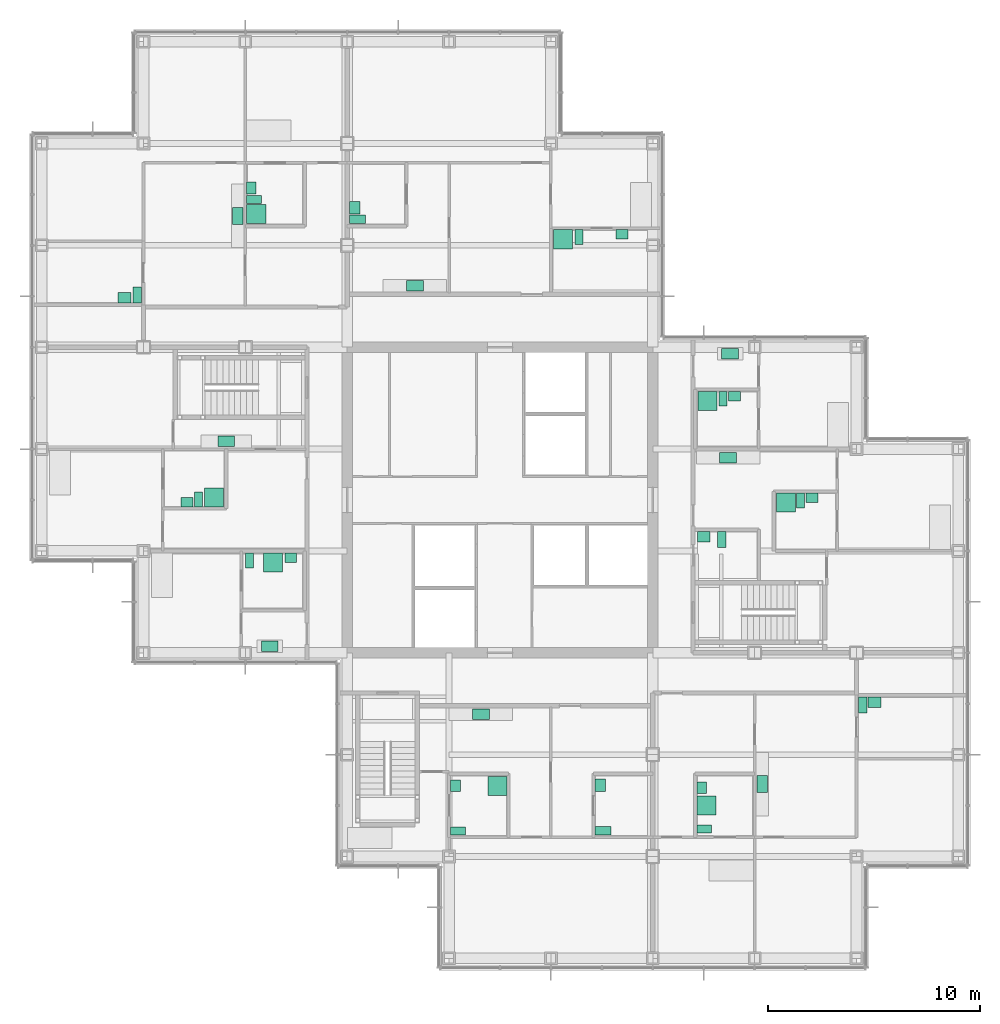
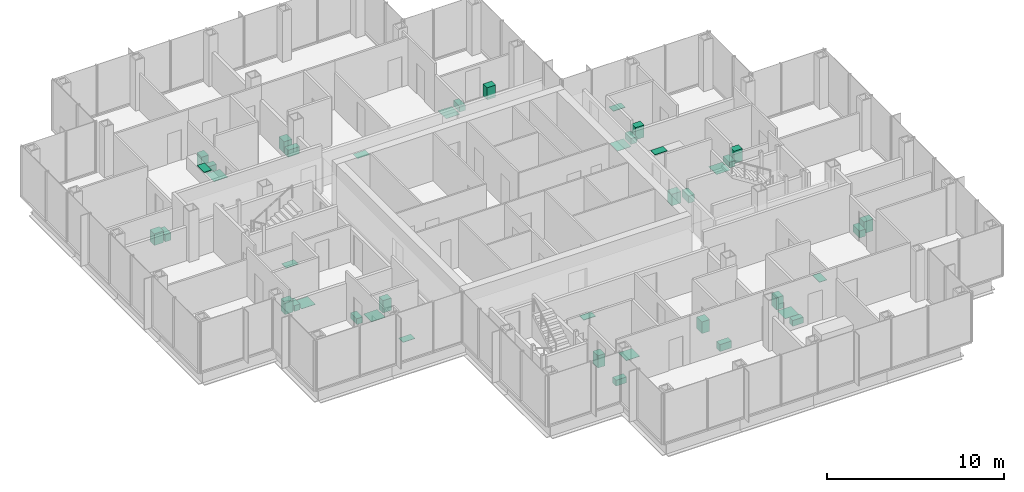
# One storey, part 18 of 19: 42 sanitary terminals.
"""IFC4 building model written with IfcOpenShell, lengths in metres."""

import ifcopenshell
import ifcopenshell.guid

model = None  # the IFC model being written
_history = None  # IfcOwnerHistory: only IFC2X3 demands one
_inside = {}  # id of a spatial element -> (the spatial element, [elements in it])
_under = {}  # id of a project, library or spatial element -> (it, [spatial elements below it])
_declared = {}  # id of a project -> (the project, [libraries it declares])
_typed = {}  # id of a type object -> (the type object, [elements of that type])
_made_of = {}  # id of a material, layer set ... -> (it, [elements and type objects made of it])


def new_model(schema):
    """Start an empty IFC model of exactly this schema.

    Asked for "IFC4X3", IfcOpenShell would pick the latest addendum, in which some entities
    have other attributes; the version numbers below select the first issue.
    IFC2X3 requires an IfcOwnerHistory on every rooted entity: one is made here for all.
    """
    global model, _history
    if schema == "IFC4X3":
        model = ifcopenshell.file(schema_version=(4, 3, 0, 0))
    else:
        model = ifcopenshell.file(schema=schema)
    _inside.clear()
    _under.clear()
    _declared.clear()
    _typed.clear()
    _made_of.clear()
    _history = None
    if model.schema == "IFC2X3":
        org = make("IfcOrganization", Name="unknown")
        user = make(
            "IfcPersonAndOrganization",
            ThePerson=make("IfcPerson", FamilyName="unknown"),
            TheOrganization=org,
        )
        app = make(
            "IfcApplication",
            ApplicationDeveloper=org,
            Version="unknown",
            ApplicationFullName="unknown",
            ApplicationIdentifier="unknown",
        )
        _history = make(
            "IfcOwnerHistory",
            OwningUser=user,
            OwningApplication=app,
            ChangeAction="ADDED",
            CreationDate=0,
        )
    return model


def make(cls, **values):
    """One entity of the class cls with the attributes given. An attribute that is None is left unset."""
    return model.create_entity(
        cls, **{name: value for name, value in values.items() if value is not None}
    )


def rooted(cls, **values):
    """An entity with a GlobalId (a new one), such as an element, a storey or a relation."""
    return make(cls, GlobalId=ifcopenshell.guid.new(), OwnerHistory=_history, **values)


def si_unit(unit_type, name, prefix=None):
    """IfcSIUnit, for example si_unit("LENGTHUNIT", "METRE", prefix="MILLI")."""
    return make("IfcSIUnit", UnitType=unit_type, Prefix=prefix, Name=name)


def assignment(units):
    """IfcUnitAssignment: the units of a project."""
    return None if units is None else make("IfcUnitAssignment", Units=units)


def point(xyz):
    """IfcCartesianPoint."""
    return None if xyz is None else make("IfcCartesianPoint", Coordinates=xyz)


def direction(xyz):
    """IfcDirection."""
    return None if xyz is None else make("IfcDirection", DirectionRatios=xyz)


def frame(location, z_axis=None, x_axis=None):
    """IfcAxis2Placement3D, a coordinate frame: its origin and axes. An axis left out is left unset."""
    return make(
        "IfcAxis2Placement3D",
        Location=point(location),
        Axis=direction(z_axis),
        RefDirection=direction(x_axis),
    )


def frame_2d(location, x_axis=None):
    """IfcAxis2Placement2D, a coordinate frame in the plane: its origin and x axis."""
    return make(
        "IfcAxis2Placement2D", Location=point(location), RefDirection=direction(x_axis)
    )


def origin():
    """The frame at (0, 0, 0) with its axes left unset."""
    return frame((0.0, 0.0, 0.0))


def origin_2d():
    """The frame at (0, 0) in the plane with its x axis left unset."""
    return frame_2d((0.0, 0.0))


def place(relative_to, where):
    """IfcLocalPlacement: puts the frame where relative to a parent placement (None: the world)."""
    return make(
        "IfcLocalPlacement", PlacementRelTo=relative_to, RelativePlacement=where
    )


def context(
    kind, dimensions, precision=None, world=None, true_north=None, identifier=None
):
    """IfcGeometricRepresentationContext, for example the 3D "Model" context."""
    return make(
        "IfcGeometricRepresentationContext",
        ContextIdentifier=identifier,
        ContextType=kind,
        CoordinateSpaceDimension=dimensions,
        Precision=precision,
        WorldCoordinateSystem=world,
        TrueNorth=true_north,
    )


def subcontext(parent, identifier, kind, view, scale=None):
    """IfcGeometricRepresentationSubContext, for example "Body" below "Model"."""
    return make(
        "IfcGeometricRepresentationSubContext",
        ContextIdentifier=identifier,
        ContextType=kind,
        ParentContext=parent,
        TargetScale=scale,
        TargetView=view,
    )


def project(units=None, contexts=None):
    """IfcProject with its units and contexts."""
    return rooted(
        "IfcProject",
        Name="project",
        RepresentationContexts=contexts,
        UnitsInContext=assignment(units),
    )


def spatial(cls, under=None, at=None, **own):
    """A site, building, storey or space (cls), placed at a placement, below another one or the project."""
    s = rooted(cls, ObjectPlacement=at, **own)
    if under is not None:
        _under.setdefault(under.id(), (under, []))[1].append(s)
    return s


def profile(cls, at=None, kind="AREA", **sizes):
    """A parametric profile (cls). Its sizes go by their IFC names, for example OverallWidth=200.0."""
    return make(cls, ProfileType=kind, Position=at, **sizes)


def rectangle(**sizes):
    """IfcRectangleProfileDef."""
    return profile("IfcRectangleProfileDef", **sizes)


def extrude(swept, where, along, depth):
    """IfcExtrudedAreaSolid: the profile swept, set in the frame where, extruded along a direction by depth."""
    return make(
        "IfcExtrudedAreaSolid",
        SweptArea=swept,
        Position=where,
        ExtrudedDirection=direction(along),
        Depth=depth,
    )


def shape(context_of_items, identifier, shape_type, items):
    """IfcShapeRepresentation: the items that make up one representation, for example the "Body"."""
    return make(
        "IfcShapeRepresentation",
        ContextOfItems=context_of_items,
        RepresentationIdentifier=identifier,
        RepresentationType=shape_type,
        Items=items,
    )


def material(Name=None, Category=None):
    """IfcMaterial."""
    return make("IfcMaterial", Name=Name, Category=Category)


def made_of(thing, what):
    """Note that an element or type object is made of a material, layer set ...; save() writes the relation."""
    if what is not None:
        _made_of.setdefault(what.id(), (what, []))[1].append(thing)
    return thing


def type_object(cls, material=None, **own):
    """A type object (cls), such as IfcWallType, which elements share."""
    return made_of(rooted(cls, **own), material)


def element(
    cls,
    number,
    at=None,
    inside=None,
    cuts=None,
    type_object=None,
    material=None,
    context=None,
    identifier="Body",
    shape_type=None,
    held_by="IfcProductDefinitionShape",
    body=None,
    shapes=None,
    **own,
):
    """One element of the class cls, such as IfcWall. Its Tag is "e" and its number.

    at: its placement. inside: the storey or other place that contains it. cuts: it is an
    opening in that element (IfcRelVoidsElement). A single representation is given by context,
    identifier, shape_type and body (its items); several are given by shapes. held_by: the class
    of the entity that holds the representations. save() writes the other relations.
    """
    e = rooted(cls, Tag="e%d" % number, ObjectPlacement=at, **own)
    if body is not None:
        shapes = [shape(context, identifier, shape_type, body)]
    if shapes is not None:
        e.Representation = make(held_by, Representations=shapes)
    if inside is not None:
        _inside.setdefault(inside.id(), (inside, []))[1].append(e)
    if cuts is not None:
        rooted(
            "IfcRelVoidsElement", RelatingBuildingElement=cuts, RelatedOpeningElement=e
        )
    if type_object is not None:
        _typed.setdefault(type_object.id(), (type_object, []))[1].append(e)
    return made_of(e, material)


def aggregate(whole, parts):
    """IfcRelAggregates: a whole, such as a stair, and the parts it consists of."""
    return rooted("IfcRelAggregates", RelatingObject=whole, RelatedObjects=parts)


def save(model, path):
    """Write the relations noted so far, then the file.

    IfcRelAggregates (storeys below a building ...), IfcRelContainedInSpatialStructure (elements
    in a storey), IfcRelDefinesByType, IfcRelAssociatesMaterial and IfcRelDeclares: one each for
    every whole, place, type object, material and project.
    """
    for whole, parts in _under.values():
        aggregate(whole, parts)
    for where, things in _inside.values():
        rooted(
            "IfcRelContainedInSpatialStructure",
            RelatedElements=things,
            RelatingStructure=where,
        )
    for kind, things in _typed.values():
        rooted("IfcRelDefinesByType", RelatedObjects=things, RelatingType=kind)
    for what, things in _made_of.values():
        rooted("IfcRelAssociatesMaterial", RelatedObjects=things, RelatingMaterial=what)
    for by, libraries in _declared.values():
        rooted("IfcRelDeclares", RelatingContext=by, RelatedDefinitions=libraries)
    model.write(path)


model = new_model("IFC4")

# Units and contexts
model_context = context("Model", 3, precision=1e-05, world=origin(), true_north=direction((0.0, 1.0)))
body_context = subcontext(model_context, "Body", "Model", "MODEL_VIEW")
ifc_project = project(units=[si_unit("LENGTHUNIT", "METRE"), si_unit("AREAUNIT", "SQUARE_METRE"), si_unit("VOLUMEUNIT", "CUBIC_METRE"), si_unit("PLANEANGLEUNIT", "RADIAN"), si_unit("MASSUNIT", "GRAM", prefix="KILO")], contexts=[model_context])

# Site, building, storey
site_placement = place(None, origin())
site = spatial("IfcSite", under=ifc_project, at=site_placement, CompositionType="ELEMENT")
building_placement = place(site_placement, origin())
building = spatial("IfcBuilding", under=site, at=building_placement, Name="Kvirike Care Tower", CompositionType="ELEMENT")
storey_placement = place(building_placement, frame((0.0, 0.0, 129.5)))
storey = spatial("IfcBuildingStorey", under=building, at=storey_placement, Name="L35", CompositionType="ELEMENT", Elevation=129.5)

# Sanitary terminals
ifc_material_1 = material(Name="Vitreous china", Category="ceramic")
sanitary_terminal_type_1 = type_object("IfcSanitaryTerminalType", Name="ACCESSIBLE WASH BASIN 600 x 500", PredefinedType="WASHHANDBASIN", material=ifc_material_1)
for number, where, z_axis, x_axis, name in (
    (1, (3.89990234375, 45.527099609375, 0.02001953125), (0.0, 0.0, 1.0), (-1.0, 0.0, 0.0), "Accessible wash basin L35-015"),
    (2, (26.326904296875, 22.56005859375, 0.02001953125), (0.0, 0.0, 1.0), (0.0, 1.0, 0.0), "Accessible wash basin L35-022"),
    (3, (14.751953125, 49.77490234375, 0.02001953125), (0.0, 0.0, 1.0), (0.0, 1.0, 0.0), "Accessible wash basin L35-030"),
    (4, (39.25, 26.472900390625, 0.02001953125), (0.0, 0.0, 1.0), (1.0, 0.0, 0.0), "Accessible wash basin L35-037"),
    (5, (31.199951171875, 34.27294921875, 0.02001953125), (0.0, 0.0, 1.0), (1.0, 0.0, 0.0), "Accessible wash basin L35-044"),
):
    element("IfcSanitaryTerminal", number, at=place(storey_placement, frame(where, z_axis=z_axis, x_axis=x_axis)), inside=storey, type_object=sanitary_terminal_type_1, Name=name, PredefinedType="WASHHANDBASIN", context=body_context, shape_type="SweptSolid", body=[
        extrude(rectangle(XDim=0.60009765625, YDim=0.5, at=origin_2d()), origin(), (0.0, 0.0, 1.0), 0.800048828125),
    ])
ifc_material_2 = material(Name="Vitreous china", Category="ceramic")
sanitary_terminal_type_2 = type_object("IfcSanitaryTerminalType", Name="ACCESSIBLE WC PAN 400 x 750", PredefinedType="TOILETPAN", material=ifc_material_2)
for number, where, z_axis, x_axis, name in (
    (6, (4.5, 45.652099609375, 0.02001953125), (0.0, 0.0, 1.0), (-1.0, 0.0, 0.0), "Accessible WC pan L35-015"),
    (7, (26.451904296875, 20.409912109375, 0.02001953125), (0.0, 0.0, 1.0), (0.0, 1.0, 0.0), "Accessible WC pan L35-022"),
    (8, (14.876953125, 49.22509765625, 0.02001953125), (0.0, 0.0, 1.0), (0.0, 1.0, 0.0), "Accessible WC pan L35-030"),
    (9, (38.699951171875, 26.347900390625, 0.02001953125), (0.0, 0.0, 1.0), (1.0, 0.0, 0.0), "Accessible WC pan L35-037"),
    (10, (32.050048828125, 34.14794921875, 0.02001953125), (0.0, 0.0, 1.0), (1.0, 0.0, 0.0), "Accessible WC pan L35-044"),
):
    element("IfcSanitaryTerminal", number, at=place(storey_placement, frame(where, z_axis=z_axis, x_axis=x_axis)), inside=storey, type_object=sanitary_terminal_type_2, Name=name, PredefinedType="TOILETPAN", context=body_context, shape_type="SweptSolid", body=[
        extrude(rectangle(XDim=0.39990234375, YDim=0.75, at=origin_2d()), origin(), (0.0, 0.0, 1.0), 0.47998046875),
    ])
ifc_material_3 = material(Name="Stainless steel", Category="steel")
sanitary_terminal_type_3 = type_object("IfcSanitaryTerminalType", Name="KITCHEN SINK 800 x 500", PredefinedType="SINK", material=ifc_material_3)
for number, where, z_axis, x_axis, name in (
    (11, (8.699951171875, 38.761962890625, 0.89990234375), (0.0, 0.0, 1.0), (-1.0, 0.0, 0.0), "Kitchen sink L35-006"),
    (12, (10.75, 29.10205078125, 0.89990234375), (0.0, 0.0, 1.0), (-1.0, 0.0, 0.0), "Kitchen sink L35-010"),
    (13, (9.238037109375, 49.389892578125, 0.89990234375), (0.0, 0.0, 1.0), (0.0, -1.0, 0.0), "Kitchen sink L35-017"),
    (14, (20.699951171875, 25.89794921875, 0.89990234375), (0.0, 0.0, 1.0), (1.0, 0.0, 0.0), "Kitchen sink L35-024"),
    (15, (17.590087890625, 46.10205078125, 0.89990234375), (0.0, 0.0, 1.0), (-1.0, 0.0, 0.0), "Kitchen sink L35-032"),
    (16, (33.9619140625, 22.610107421875, 0.89990234375), (0.0, 0.0, 1.0), (0.0, 1.0, 0.0), "Kitchen sink L35-039"),
    (17, (32.35009765625, 37.998046875, 0.89990234375), (0.0, 0.0, 1.0), (1.0, 0.0, 0.0), "Kitchen sink L35-046"),
    (18, (32.449951171875, 42.89794921875, 0.89990234375), (0.0, 0.0, 1.0), (1.0, 0.0, 0.0), "Kitchen sink L35-049"),
):
    element("IfcSanitaryTerminal", number, at=place(storey_placement, frame(where, z_axis=z_axis, x_axis=x_axis)), inside=storey, type_object=sanitary_terminal_type_3, Name=name, PredefinedType="SINK", context=body_context, shape_type="SweptSolid", body=[
        extrude(rectangle(XDim=0.800048828125, YDim=0.5, at=origin_2d()), origin(), (0.0, 0.0, 1.0), 0.030029296875),
    ])
ifc_material_4 = material(Name="Stainless steel", Category="steel")
sanitary_terminal_type_4 = type_object("IfcSanitaryTerminalType", Name="LEVEL-ACCESS SHOWER 900 x 900", PredefinedType="SHOWER", material=ifc_material_4)
for number, where, z_axis, x_axis, name in (
    (19, (8.125, 36.126953125, 0.02001953125), (0.0, 0.0, 1.0), (-1.0, 0.0, 0.0), "Level-access shower L35-005"),
    (20, (10.909912109375, 33.048095703125, 0.02001953125), (0.0, 0.0, 1.0), (1.0, 0.0, 0.0), "Level-access shower L35-009"),
    (21, (10.112060546875, 49.47509765625, 0.02001953125), (0.0, 0.0, 1.0), (0.0, 1.0, 0.0), "Level-access shower L35-014"),
    (22, (21.472900390625, 22.52490234375, 0.02001953125), (0.0, 0.0, 1.0), (0.0, -1.0, 0.0), "Level-access shower L35-023"),
    (23, (24.574951171875, 48.2880859375, 0.02001953125), (0.0, 0.0, 1.0), (1.0, 0.0, 0.0), "Level-access shower L35-029"),
    (24, (31.326904296875, 21.610107421875, 0.02001953125), (0.0, 0.0, 1.0), (0.0, 1.0, 0.0), "Level-access shower L35-036"),
    (25, (35.074951171875, 35.873046875, 0.02001953125), (0.0, 0.0, 1.0), (1.0, 0.0, 0.0), "Level-access shower L35-045"),
    (26, (31.375, 40.673095703125, 0.02001953125), (0.0, 0.0, 1.0), (1.0, 0.0, 0.0), "Level-access shower L35-048"),
):
    element("IfcSanitaryTerminal", number, at=place(storey_placement, frame(where, z_axis=z_axis, x_axis=x_axis)), inside=storey, type_object=sanitary_terminal_type_4, Name=name, PredefinedType="SHOWER", context=body_context, shape_type="SweptSolid", body=[
        extrude(rectangle(XDim=0.89990234375, YDim=0.89990234375, at=origin_2d()), origin(), (0.0, 0.0, 1.0), 0.02001953125),
    ])
ifc_material_5 = material(Name="Vitreous china", Category="ceramic")
sanitary_terminal_type_5 = type_object("IfcSanitaryTerminalType", Name="WASH BASIN 550 x 450", PredefinedType="WASHHANDBASIN", material=ifc_material_5)
for number, where, z_axis, x_axis, name in (
    (27, (6.85009765625, 35.902099609375, 0.02001953125), (0.0, 0.0, 1.0), (-1.0, 0.0, 0.0), "Wash basin L35-005"),
    (28, (11.735107421875, 33.27294921875, 0.02001953125), (0.0, 0.0, 1.0), (1.0, 0.0, 0.0), "Wash basin L35-009"),
    (29, (9.886962890625, 50.699951171875, 0.02001953125), (0.0, 0.0, 1.0), (0.0, 1.0, 0.0), "Wash basin L35-014"),
    (30, (19.501953125, 22.534912109375, 0.02001953125), (0.0, 0.0, 1.0), (0.0, 1.0, 0.0), "Wash basin L35-023"),
    (31, (27.35009765625, 48.512939453125, 0.02001953125), (0.0, 0.0, 1.0), (1.0, 0.0, 0.0), "Wash basin L35-029"),
    (32, (31.10205078125, 22.43505859375, 0.02001953125), (0.0, 0.0, 1.0), (0.0, 1.0, 0.0), "Wash basin L35-036"),
    (33, (36.300048828125, 36.097900390625, 0.02001953125), (0.0, 0.0, 1.0), (1.0, 0.0, 0.0), "Wash basin L35-045"),
    (34, (32.64990234375, 40.89794921875, 0.02001953125), (0.0, 0.0, 1.0), (1.0, 0.0, 0.0), "Wash basin L35-048"),
):
    element("IfcSanitaryTerminal", number, at=place(storey_placement, frame(where, z_axis=z_axis, x_axis=x_axis)), inside=storey, type_object=sanitary_terminal_type_5, Name=name, PredefinedType="WASHHANDBASIN", context=body_context, shape_type="SweptSolid", body=[
        extrude(rectangle(XDim=0.550048828125, YDim=0.449951171875, at=origin_2d()), origin(), (0.0, 0.0, 1.0), 0.85009765625),
    ])
ifc_material_6 = material(Name="Vitreous china", Category="ceramic")
sanitary_terminal_type_6 = type_object("IfcSanitaryTerminalType", Name="WC PAN 380 x 700", PredefinedType="TOILETPAN", material=ifc_material_6)
for number, where, z_axis, x_axis, name in (
    (35, (7.385009765625, 36.027099609375, 0.02001953125), (0.0, 0.0, 1.0), (-1.0, 0.0, 0.0), "WC pan L35-005"),
    (36, (9.800048828125, 33.14794921875, 0.02001953125), (0.0, 0.0, 1.0), (1.0, 0.0, 0.0), "WC pan L35-009"),
    (37, (10.011962890625, 50.1650390625, 0.02001953125), (0.0, 0.0, 1.0), (0.0, 1.0, 0.0), "WC pan L35-014"),
    (38, (19.626953125, 20.39990234375, 0.02001953125), (0.0, 0.0, 1.0), (0.0, 1.0, 0.0), "WC pan L35-023"),
    (39, (25.31494140625, 48.387939453125, 0.02001953125), (0.0, 0.0, 1.0), (1.0, 0.0, 0.0), "WC pan L35-029"),
    (40, (31.22705078125, 20.5, 0.02001953125), (0.0, 0.0, 1.0), (0.0, 1.0, 0.0), "WC pan L35-036"),
    (41, (35.764892578125, 35.972900390625, 0.02001953125), (0.0, 0.0, 1.0), (1.0, 0.0, 0.0), "WC pan L35-045"),
    (42, (32.114990234375, 40.77294921875, 0.02001953125), (0.0, 0.0, 1.0), (1.0, 0.0, 0.0), "WC pan L35-048"),
):
    element("IfcSanitaryTerminal", number, at=place(storey_placement, frame(where, z_axis=z_axis, x_axis=x_axis)), inside=storey, type_object=sanitary_terminal_type_6, Name=name, PredefinedType="TOILETPAN", context=body_context, shape_type="SweptSolid", body=[
        extrude(rectangle(XDim=0.3798828125, YDim=0.699951171875, at=origin_2d()), origin(), (0.0, 0.0, 1.0), 0.39990234375),
    ])

save(model, "model.ifc")
